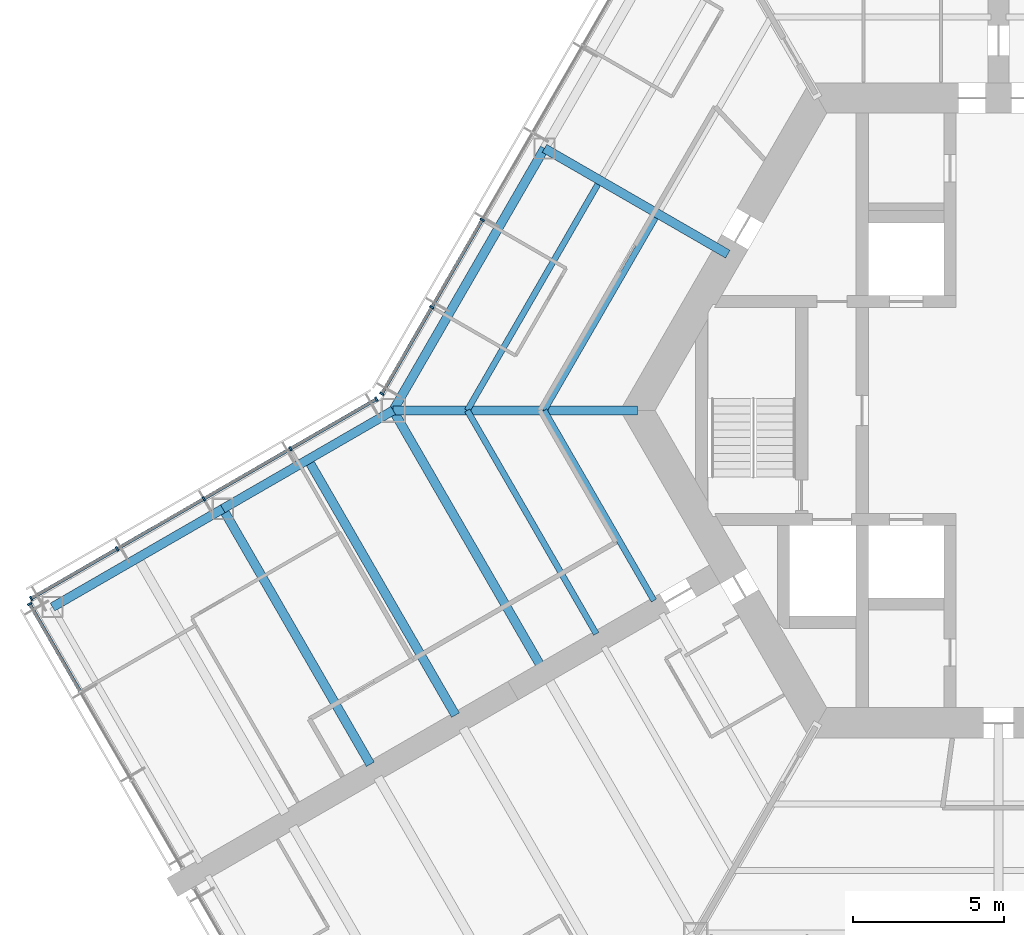
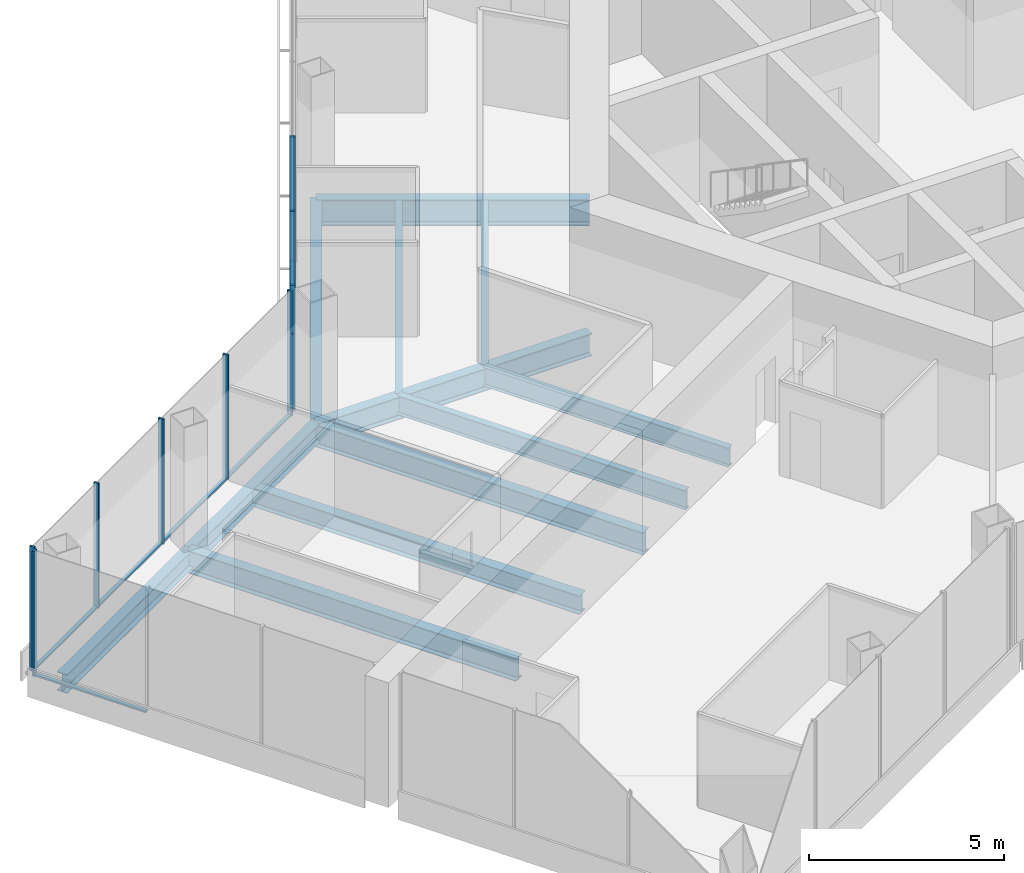
# One storey, part 4 of 18: 16 members, 12 beams, 3 elements without a shape of their own.
"""IFC4 building model written with IfcOpenShell, lengths in metres."""

from ifc_helpers import new_model, si_unit, direction, frame, origin, origin_2d, place, context, subcontext, project, spatial, rectangle, i_section, extrude, material, material_profile, profile_set, type_object, element, aggregate, save


model = new_model("IFC4")

# Units and contexts
model_context = context("Model", 3, precision=1e-05, world=origin(), true_north=direction((0.0, 1.0)))
body_context = subcontext(model_context, "Body", "Model", "MODEL_VIEW")
ifc_project = project(units=[si_unit("LENGTHUNIT", "METRE"), si_unit("AREAUNIT", "SQUARE_METRE"), si_unit("VOLUMEUNIT", "CUBIC_METRE"), si_unit("PLANEANGLEUNIT", "RADIAN"), si_unit("MASSUNIT", "GRAM", prefix="KILO")], contexts=[model_context])

# Site, building, storey
site_placement = place(None, origin())
site = spatial("IfcSite", under=ifc_project, at=site_placement, CompositionType="ELEMENT")
building_placement = place(site_placement, origin())
building = spatial("IfcBuilding", under=site, at=building_placement, Name="Kasaneha Research Tower", CompositionType="ELEMENT")
storey_placement = place(building_placement, frame((0.0, 0.0, 144.800048828125)))
storey = spatial("IfcBuildingStorey", under=building, at=storey_placement, Name="L36", CompositionType="ELEMENT", Elevation=144.800048828125)

# Beams
ifc_material_1 = material(Name="Steel SN490B", Category="steel")
ifc_material_profile_1 = material_profile(ifc_material_1, i_section(OverallWidth=0.199951171875, OverallDepth=0.60009765625, WebThickness=0.010986328125, FlangeThickness=0.01708984375, FilletRadius=0.012939453125, at=origin_2d()), Name="H-600x200x11x17")
ifc_profile_set_1 = profile_set([ifc_material_profile_1], Name="Steel SN490B")
beam_type_1 = type_object("IfcBeamType", Name="B1-3 secondary beam H-600x200x11x17", PredefinedType="JOIST", material=ifc_profile_set_1)
beam_1_placement = place(storey_placement, frame((-15.010986328125, 0.0, -0.449951171875), z_axis=(0.499994443168, 0.866028611999, 0.0), x_axis=(-0.866028611999, 0.499994443168, 0.0)))
element("IfcBeam", 1, at=beam_1_placement, inside=storey, type_object=beam_type_1, Name="Secondary beam RS150R1 L36", PredefinedType="JOIST", context=body_context, shape_type="SweptSolid", body=[
    extrude(i_section(OverallWidth=0.199951171875, OverallDepth=0.60009765625, WebThickness=0.010986328125, FlangeThickness=0.01708984375, FilletRadius=0.012939453125, at=origin_2d()), origin(), (0.0, 0.0, 1.0), 7.35546875),
])
beam_2_placement = place(storey_placement, frame((-17.551513671875, 0.0, -0.449951171875), z_axis=(0.5000050195, 0.866022505755, 0.0), x_axis=(-0.866022505755, 0.5000050195, 0.0)))
element("IfcBeam", 2, at=beam_2_placement, inside=storey, type_object=beam_type_1, Name="Secondary beam RS150R2 L36", PredefinedType="JOIST", context=body_context, shape_type="SweptSolid", body=[
    extrude(i_section(OverallWidth=0.199951171875, OverallDepth=0.60009765625, WebThickness=0.010986328125, FlangeThickness=0.01708984375, FilletRadius=0.012939453125, at=origin_2d()), origin(), (0.0, 0.0, 1.0), 8.6259765625),
])
beam_3_placement = place(storey_placement, frame((-15.010986328125, 0.0, -0.449951171875), z_axis=(0.499993340521, -0.866029248602, 0.0), x_axis=(0.866029248602, 0.499993340521, 0.0)))
element("IfcBeam", 3, at=beam_3_placement, inside=storey, type_object=beam_type_1, Name="Secondary beam RS210L1 L36", PredefinedType="JOIST", context=body_context, shape_type="SweptSolid", body=[
    extrude(i_section(OverallWidth=0.199951171875, OverallDepth=0.60009765625, WebThickness=0.010986328125, FlangeThickness=0.01708984375, FilletRadius=0.012939453125, at=origin_2d()), origin(), (0.0, 0.0, 1.0), 7.25537109375),
])
beam_4_placement = place(storey_placement, frame((-17.551513671875, 0.0, -0.449951171875), z_axis=(0.500004205306, -0.866022975836, 0.0), x_axis=(0.866022975836, 0.500004205306, 0.0)))
element("IfcBeam", 4, at=beam_4_placement, inside=storey, type_object=beam_type_1, Name="Secondary beam RS210L2 L36", PredefinedType="JOIST", context=body_context, shape_type="SweptSolid", body=[
    extrude(i_section(OverallWidth=0.199951171875, OverallDepth=0.60009765625, WebThickness=0.010986328125, FlangeThickness=0.01708984375, FilletRadius=0.012939453125, at=origin_2d()), origin(), (0.0, 0.0, 1.0), 8.52587890625),
])
ifc_material_2 = material(Name="Steel SN490B", Category="steel")
ifc_material_profile_2 = material_profile(ifc_material_2, i_section(OverallWidth=0.300048828125, OverallDepth=0.58203125, WebThickness=0.011962890625, FlangeThickness=0.01708984375, FilletRadius=0.012939453125, at=origin_2d()), Name="H-582x300x12x17")
ifc_profile_set_2 = profile_set([ifc_material_profile_2], Name="Steel SN490B")
beam_type_2 = type_object("IfcBeamType", Name="B2-3 secondary beam H-582x300x12x17", PredefinedType="JOIST", material=ifc_profile_set_2)
beam_5_placement = place(storey_placement, frame((-22.814697265625, -1.625, -0.441162109375), z_axis=(0.499995560238, -0.866027967067, 0.0), x_axis=(0.866027967067, 0.499995560238, 0.0)))
element("IfcBeam", 5, at=beam_5_placement, inside=storey, type_object=beam_type_2, Name="Secondary beam WBBP1 L36", PredefinedType="JOIST", context=body_context, shape_type="SweptSolid", body=[
    extrude(i_section(OverallWidth=0.300048828125, OverallDepth=0.58203125, WebThickness=0.011962890625, FlangeThickness=0.01708984375, FilletRadius=0.012939453125, at=origin_2d()), origin(), (0.0, 0.0, 1.0), 9.75),
])

# Curtain wall, members
ifc_material_3 = material(Name="Glass and aluminium", Category="aluminium")
curtain_wall_type = type_object("IfcCurtainWallType", Name="Mid-rise office curtain wall", PredefinedType="USERDEFINED", material=ifc_material_3)
curtain_wall_1_placement = place(storey_placement, origin())
curtain_wall_1 = element("IfcCurtainWall", 6, at=curtain_wall_1_placement, inside=storey, type_object=curtain_wall_type, Name="CW-O2 L36 run 08a", ObjectType="UNITISED CURTAIN WALL", PredefinedType="USERDEFINED")
ifc_material_4 = material(Name="Aluminium 6063-T6", Category="aluminium")
ifc_material_profile_3 = material_profile(ifc_material_4, rectangle(XDim=0.06005859375, YDim=0.14990234375, at=origin_2d()), Name="CW-O2 mullion 60x150")
ifc_profile_set_3 = profile_set([ifc_material_profile_3], Name="Aluminium 6063-T6")
member_type_1 = type_object("IfcMemberType", Name="CW-O2 mullion", PredefinedType="MULLION", material=ifc_profile_set_3)
member_1_placement = place(storey_placement, frame((-17.058349609375, 6.295166015625, 0.0), z_axis=(0.0, 0.0, 1.0), x_axis=(-0.499999979232, -0.866025415775, 0.0)))
member_1 = element("IfcMember", 7, at=member_1_placement, type_object=member_type_1, Name="CW-O2 mullion 5", PredefinedType="MULLION", context=body_context, shape_type="SweptSolid", body=[
    extrude(rectangle(XDim=0.06005859375, YDim=0.14990234375, at=origin_2d()), origin(), (0.0, 0.0, 1.0), 3.89990234375),
])
member_2_placement = place(storey_placement, frame((-18.723876953125, 3.410400390625, 0.0), z_axis=(0.0, 0.0, 1.0), x_axis=(-0.499999979232, -0.866025415775, 0.0)))
member_2 = element("IfcMember", 8, at=member_2_placement, type_object=member_type_1, Name="CW-O2 mullion 6", PredefinedType="MULLION", context=body_context, shape_type="SweptSolid", body=[
    extrude(rectangle(XDim=0.06005859375, YDim=0.14990234375, at=origin_2d()), origin(), (0.0, 0.0, 1.0), 3.89990234375),
])
member_3_placement = place(storey_placement, frame((-20.374267578125, 0.5517578125, 0.0), z_axis=(0.0, 0.0, 1.0), x_axis=(-0.499999979232, -0.866025415775, 0.0)))
member_3 = element("IfcMember", 9, at=member_3_placement, type_object=member_type_1, Name="CW-O2 mullion 7", PredefinedType="MULLION", context=body_context, shape_type="SweptSolid", body=[
    extrude(rectangle(XDim=0.06005859375, YDim=0.14990234375, at=origin_2d()), origin(), (0.0, 0.0, 1.0), 3.89990234375),
])

curtain_wall_2_placement = place(storey_placement, origin())
curtain_wall_2 = element("IfcCurtainWall", 10, at=curtain_wall_2_placement, inside=storey, type_object=curtain_wall_type, Name="CW-O2 L36 run 09a", ObjectType="UNITISED CURTAIN WALL", PredefinedType="USERDEFINED")
member_4_placement = place(storey_placement, frame((-20.5517578125, 0.374267578125, 0.0), z_axis=(0.0, 0.0, 1.0), x_axis=(-0.866025411464, -0.499999986699, 0.0)))
member_4 = element("IfcMember", 11, at=member_4_placement, type_object=member_type_1, Name="CW-O2 mullion 1", PredefinedType="MULLION", context=body_context, shape_type="SweptSolid", body=[
    extrude(rectangle(XDim=0.06005859375, YDim=0.14990234375, at=origin_2d()), origin(), (0.0, 0.0, 1.0), 3.89990234375),
])
member_5_placement = place(storey_placement, frame((-23.39208984375, -1.265625, 0.0), z_axis=(0.0, 0.0, 1.0), x_axis=(-0.866025411464, -0.499999986699, 0.0)))
member_5 = element("IfcMember", 12, at=member_5_placement, type_object=member_type_1, Name="CW-O2 mullion 2", PredefinedType="MULLION", context=body_context, shape_type="SweptSolid", body=[
    extrude(rectangle(XDim=0.06005859375, YDim=0.14990234375, at=origin_2d()), origin(), (0.0, 0.0, 1.0), 3.89990234375),
])
member_6_placement = place(storey_placement, frame((-26.258544921875, -2.920654296875, 0.0), z_axis=(0.0, 0.0, 1.0), x_axis=(-0.866025411464, -0.499999986699, 0.0)))
member_6 = element("IfcMember", 13, at=member_6_placement, type_object=member_type_1, Name="CW-O2 mullion 3", PredefinedType="MULLION", context=body_context, shape_type="SweptSolid", body=[
    extrude(rectangle(XDim=0.06005859375, YDim=0.14990234375, at=origin_2d()), origin(), (0.0, 0.0, 1.0), 3.89990234375),
])
member_7_placement = place(storey_placement, frame((-29.125, -4.575439453125, 0.0), z_axis=(0.0, 0.0, 1.0), x_axis=(-0.866025411464, -0.499999986699, 0.0)))
member_7 = element("IfcMember", 14, at=member_7_placement, type_object=member_type_1, Name="CW-O2 mullion 4", PredefinedType="MULLION", context=body_context, shape_type="SweptSolid", body=[
    extrude(rectangle(XDim=0.06005859375, YDim=0.14990234375, at=origin_2d()), origin(), (0.0, 0.0, 1.0), 3.89990234375),
])
member_8_placement = place(storey_placement, frame((-31.96533203125, -6.21533203125, 0.0), z_axis=(0.0, 0.0, 1.0), x_axis=(-0.866025411464, -0.499999986699, 0.0)))
member_8 = element("IfcMember", 15, at=member_8_placement, type_object=member_type_1, Name="CW-O2 mullion 5", PredefinedType="MULLION", context=body_context, shape_type="SweptSolid", body=[
    extrude(rectangle(XDim=0.06005859375, YDim=0.14990234375, at=origin_2d()), origin(), (0.0, 0.0, 1.0), 3.89990234375),
])

# Curtain wall, member
curtain_wall_3_placement = place(storey_placement, origin())
curtain_wall_3 = element("IfcCurtainWall", 16, at=curtain_wall_3_placement, inside=storey, type_object=curtain_wall_type, Name="CW-O2 L36 run 10a", ObjectType="UNITISED CURTAIN WALL", PredefinedType="USERDEFINED")
member_9_placement = place(storey_placement, frame((-32.012939453125, -6.39306640625, 0.0), z_axis=(0.0, 0.0, 1.0), x_axis=(0.500000011442, -0.866025397178, 0.0)))
member_9 = element("IfcMember", 17, at=member_9_placement, type_object=member_type_1, Name="CW-O2 mullion 1", PredefinedType="MULLION", context=body_context, shape_type="SweptSolid", body=[
    extrude(rectangle(XDim=0.06005859375, YDim=0.14990234375, at=origin_2d()), origin(), (0.0, 0.0, 1.0), 3.89990234375),
])

# Member
ifc_material_5 = material(Name="Aluminium 6063-T6", Category="aluminium")
ifc_material_profile_4 = material_profile(ifc_material_5, rectangle(XDim=0.110107421875, YDim=0.06005859375, at=origin_2d()), Name="CW-O2 transom 110x60")
ifc_profile_set_4 = profile_set([ifc_material_profile_4], Name="Aluminium 6063-T6")
member_type_2 = type_object("IfcMemberType", Name="CW-O2 transom", PredefinedType="USERDEFINED", material=ifc_profile_set_4)
member_10_placement = place(storey_placement, frame((-17.0732421875, 6.269287109375, 0.030029296875), z_axis=(-0.500000270186, -0.866025247793, 0.0), x_axis=(0.866025247793, -0.500000270186, 0.0)))
member_10 = element("IfcMember", 18, at=member_10_placement, type_object=member_type_2, Name="CW-O2 transom 5", ObjectType="TRANSOM", PredefinedType="USERDEFINED", context=body_context, shape_type="SweptSolid", body=[
    extrude(rectangle(XDim=0.110107421875, YDim=0.06005859375, at=origin_2d()), origin(), (0.0, 0.0, 1.0), 3.27099609375),
])

member_11_placement = place(storey_placement, frame((-18.73876953125, 3.384521484375, 0.030029296875), z_axis=(-0.499987643696, -0.866032537582, 0.0), x_axis=(0.866032537582, -0.499987643696, 0.0)))
member_11 = element("IfcMember", 19, at=member_11_placement, type_object=member_type_2, Name="CW-O2 transom 6", ObjectType="TRANSOM", PredefinedType="USERDEFINED", context=body_context, shape_type="SweptSolid", body=[
    extrude(rectangle(XDim=0.110107421875, YDim=0.06005859375, at=origin_2d()), origin(), (0.0, 0.0, 1.0), 3.24072265625),
])

aggregate(curtain_wall_1, [member_1, member_2, member_3, member_10, member_11])

member_12_placement = place(storey_placement, frame((-20.577880859375, 0.359130859375, 0.030029296875), z_axis=(-0.866022692473, -0.500004696101, 0.0), x_axis=(0.500004696101, -0.866022692473, 0.0)))
member_12 = element("IfcMember", 20, at=member_12_placement, type_object=member_type_2, Name="CW-O2 transom 1", ObjectType="TRANSOM", PredefinedType="USERDEFINED", context=body_context, shape_type="SweptSolid", body=[
    extrude(rectangle(XDim=0.110107421875, YDim=0.06005859375, at=origin_2d()), origin(), (0.0, 0.0, 1.0), 3.2197265625),
])

member_13_placement = place(storey_placement, frame((-23.418212890625, -1.28076171875, 0.030029296875), z_axis=(-0.86604797581, -0.499960902066, 0.0), x_axis=(0.499960902066, -0.86604797581, 0.0)))
member_13 = element("IfcMember", 21, at=member_13_placement, type_object=member_type_2, Name="CW-O2 transom 2", ObjectType="TRANSOM", PredefinedType="USERDEFINED", context=body_context, shape_type="SweptSolid", body=[
    extrude(rectangle(XDim=0.110107421875, YDim=0.06005859375, at=origin_2d()), origin(), (0.0, 0.0, 1.0), 3.249755859375),
])

member_14_placement = place(storey_placement, frame((-26.28466796875, -2.935546875, 0.030029296875), z_axis=(-0.86599666273, -0.500049777664, 0.0), x_axis=(0.500049777664, -0.86599666273, 0.0)))
member_14 = element("IfcMember", 22, at=member_14_placement, type_object=member_type_2, Name="CW-O2 transom 3", ObjectType="TRANSOM", PredefinedType="USERDEFINED", context=body_context, shape_type="SweptSolid", body=[
    extrude(rectangle(XDim=0.110107421875, YDim=0.06005859375, at=origin_2d()), origin(), (0.0, 0.0, 1.0), 3.249755859375),
])

member_15_placement = place(storey_placement, frame((-29.15087890625, -4.590576171875, 0.030029296875), z_axis=(-0.866041647767, -0.499971863542, 0.0), x_axis=(0.499971863542, -0.866041647767, 0.0)))
member_15 = element("IfcMember", 23, at=member_15_placement, type_object=member_type_2, Name="CW-O2 transom 4", ObjectType="TRANSOM", PredefinedType="USERDEFINED", context=body_context, shape_type="SweptSolid", body=[
    extrude(rectangle(XDim=0.110107421875, YDim=0.06005859375, at=origin_2d()), origin(), (0.0, 0.0, 1.0), 3.219970703125),
])

aggregate(curtain_wall_2, [member_4, member_5, member_6, member_7, member_8, member_12, member_13, member_14, member_15])

member_16_placement = place(storey_placement, frame((-31.998046875, -6.4189453125, 0.030029296875), z_axis=(0.500021914551, -0.866012751043, 0.0), x_axis=(0.866012751043, 0.500021914551, 0.0)))
member_16 = element("IfcMember", 24, at=member_16_placement, type_object=member_type_2, Name="CW-O2 transom 1", ObjectType="TRANSOM", PredefinedType="USERDEFINED", context=body_context, shape_type="SweptSolid", body=[
    extrude(rectangle(XDim=0.110107421875, YDim=0.06005859375, at=origin_2d()), origin(), (0.0, 0.0, 1.0), 3.293212890625),
])

aggregate(curtain_wall_3, [member_9, member_16])

# Beams
ifc_material_6 = material(Name="Steel SN490B", Category="steel")
ifc_material_profile_5 = material_profile(ifc_material_6, i_section(OverallWidth=0.300048828125, OverallDepth=0.699951171875, WebThickness=0.012939453125, FlangeThickness=0.02392578125, FilletRadius=0.01806640625, at=origin_2d()), Name="H-700x300x13x24")
ifc_profile_set_5 = profile_set([ifc_material_profile_5], Name="Steel SN490B")
beam_type_3 = type_object("IfcBeamType", Name="G1-3 radial girder H-700x300x13x24", PredefinedType="BEAM", material=ifc_profile_set_5)
beam_6_placement = place(storey_placement, frame((-11.92236328125, 0.0, -0.5), z_axis=(-1.0, 0.0, 0.0), x_axis=(0.0, -1.0, 0.0)))
element("IfcBeam", 25, at=beam_6_placement, inside=storey, type_object=beam_type_3, Name="Radial girder RV180 L36", PredefinedType="BEAM", context=body_context, shape_type="SweptSolid", body=[
    extrude(i_section(OverallWidth=0.300048828125, OverallDepth=0.699951171875, WebThickness=0.012939453125, FlangeThickness=0.02392578125, FilletRadius=0.01806640625, at=origin_2d()), origin(), (0.0, 0.0, 1.0), 8.07763671875),
])
ifc_material_7 = material(Name="Steel SN490B", Category="steel")
ifc_material_profile_6 = material_profile(ifc_material_7, i_section(OverallWidth=0.300048828125, OverallDepth=0.800048828125, WebThickness=0.013916015625, FlangeThickness=0.02587890625, FilletRadius=0.01806640625, at=origin_2d()), Name="H-800x300x14x26")
ifc_profile_set_6 = profile_set([ifc_material_profile_6], Name="Steel SN490B")
beam_type_4 = type_object("IfcBeamType", Name="G2-3 radial girder H-800x300x14x26", PredefinedType="BEAM", material=ifc_profile_set_6)
beam_7_placement = place(storey_placement, frame((-8.941650390625, 5.16259765625, -0.550048828125), z_axis=(-0.866039713508, 0.499975214012, 0.0), x_axis=(-0.499975214012, -0.866039713508, 0.0)))
element("IfcBeam", 26, at=beam_7_placement, inside=storey, type_object=beam_type_4, Name="Radial girder RM150 L36", PredefinedType="BEAM", context=body_context, shape_type="SweptSolid", body=[
    extrude(i_section(OverallWidth=0.300048828125, OverallDepth=0.800048828125, WebThickness=0.013916015625, FlangeThickness=0.02587890625, FilletRadius=0.01806640625, at=origin_2d()), origin(), (0.0, 0.0, 1.0), 6.995361328125),
])
ifc_material_8 = material(Name="Steel SN490B", Category="steel")
ifc_material_profile_7 = material_profile(ifc_material_8, i_section(OverallWidth=0.300048828125, OverallDepth=0.69189453125, WebThickness=0.012939453125, FlangeThickness=0.02001953125, FilletRadius=0.01806640625, at=origin_2d()), Name="H-692x300x13x20")
ifc_profile_set_7 = profile_set([ifc_material_profile_7], Name="Steel SN490B")
beam_type_5 = type_object("IfcBeamType", Name="G3-3 plate edge girder H-692x300x13x20", PredefinedType="BEAM", material=ifc_profile_set_7)
beam_8_placement = place(storey_placement, frame((-20.0, 0.0, -0.49609375), z_axis=(0.499995560238, -0.866027967067, 0.0), x_axis=(0.866027967067, 0.499995560238, 0.0)))
element("IfcBeam", 27, at=beam_8_placement, inside=storey, type_object=beam_type_5, Name="Plate edge girder PEBP L36", PredefinedType="BEAM", context=body_context, shape_type="SweptSolid", body=[
    extrude(i_section(OverallWidth=0.300048828125, OverallDepth=0.69189453125, WebThickness=0.012939453125, FlangeThickness=0.02001953125, FilletRadius=0.01806640625, at=origin_2d()), origin(), (0.0, 0.0, 1.0), 9.75),
])
ifc_material_9 = material(Name="Steel SN490B", Category="steel")
ifc_material_profile_8 = material_profile(ifc_material_9, i_section(OverallWidth=0.300048828125, OverallDepth=0.699951171875, WebThickness=0.012939453125, FlangeThickness=0.02392578125, FilletRadius=0.01806640625, at=origin_2d()), Name="H-700x300x13x24")
ifc_profile_set_8 = profile_set([ifc_material_profile_8], Name="Steel SN490B")
beam_type_6 = type_object("IfcBeamType", Name="G4-3 wing girder H-700x300x13x24", PredefinedType="BEAM", material=ifc_profile_set_8)
beam_9_placement = place(storey_placement, frame((-25.629150390625, -3.25, -0.5), z_axis=(0.499995560238, -0.866027967067, 0.0), x_axis=(0.866027967067, 0.499995560238, 0.0)))
element("IfcBeam", 28, at=beam_9_placement, inside=storey, type_object=beam_type_6, Name="Wing girder WGBP L36", PredefinedType="BEAM", context=body_context, shape_type="SweptSolid", body=[
    extrude(i_section(OverallWidth=0.300048828125, OverallDepth=0.699951171875, WebThickness=0.012939453125, FlangeThickness=0.02392578125, FilletRadius=0.01806640625, at=origin_2d()), origin(), (0.0, 0.0, 1.0), 9.75),
])
ifc_material_10 = material(Name="Steel SN490B", Category="steel")
ifc_material_profile_9 = material_profile(ifc_material_10, i_section(OverallWidth=0.300048828125, OverallDepth=0.69189453125, WebThickness=0.012939453125, FlangeThickness=0.02001953125, FilletRadius=0.01806640625, at=origin_2d()), Name="H-692x300x13x20")
ifc_profile_set_9 = profile_set([ifc_material_profile_9], Name="Steel SN490B")
beam_type_7 = type_object("IfcBeamType", Name="SB1-3 spandrel beam H-692x300x13x20", PredefinedType="SPANDREL", material=ifc_profile_set_9)
beam_10_placement = place(storey_placement, frame((-20.0, 0.0, -0.49609375), z_axis=(0.500004234368, 0.866022959057, 0.0), x_axis=(-0.866022959057, 0.500004234368, 0.0)))
element("IfcBeam", 29, at=beam_10_placement, inside=storey, type_object=beam_type_7, Name="Spandrel beam SR150R L36", PredefinedType="SPANDREL", context=body_context, shape_type="SweptSolid", body=[
    extrude(i_section(OverallWidth=0.300048828125, OverallDepth=0.69189453125, WebThickness=0.012939453125, FlangeThickness=0.02001953125, FilletRadius=0.01806640625, at=origin_2d()), origin(), (0.0, 0.0, 1.0), 10.0),
])
ifc_material_11 = material(Name="Steel SN490B", Category="steel")
ifc_material_profile_10 = material_profile(ifc_material_11, i_section(OverallWidth=0.300048828125, OverallDepth=0.58203125, WebThickness=0.011962890625, FlangeThickness=0.01708984375, FilletRadius=0.012939453125, at=origin_2d()), Name="H-582x300x12x17")
ifc_profile_set_10 = profile_set([ifc_material_profile_10], Name="Steel SN490B")
beam_type_8 = type_object("IfcBeamType", Name="SB2-3 spandrel beam H-582x300x12x17", PredefinedType="SPANDREL", material=ifc_profile_set_10)
for number, where, z_axis, x_axis, name in (
    (30, (-20.0, 0.0, -0.441162109375), (-0.866024837091, -0.50000098154, 0.0), (0.50000098154, -0.866024837091, 0.0), "Spandrel beam WSBP1 L36"),
    (31, (-25.629150390625, -3.25, -0.441162109375), (-0.866024837091, -0.50000098154, 0.0), (0.50000098154, -0.866024837091, 0.0), "Spandrel beam WSBP2 L36"),
):
    element("IfcBeam", number, at=place(storey_placement, frame(where, z_axis=z_axis, x_axis=x_axis)), inside=storey, type_object=beam_type_8, Name=name, PredefinedType="SPANDREL", context=body_context, shape_type="SweptSolid", body=[
        extrude(i_section(OverallWidth=0.300048828125, OverallDepth=0.58203125, WebThickness=0.011962890625, FlangeThickness=0.01708984375, FilletRadius=0.012939453125, at=origin_2d()), origin(), (0.0, 0.0, 1.0), 6.5),
    ])

save(model, "model.ifc")
